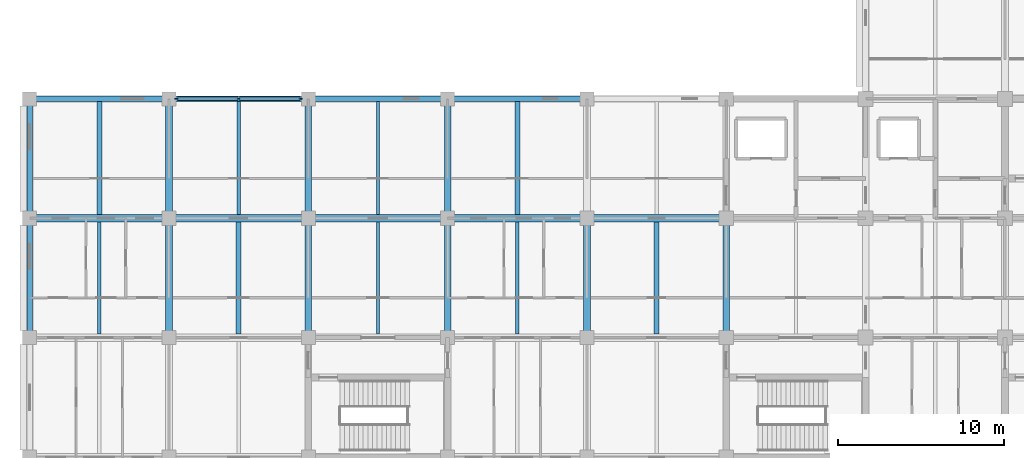
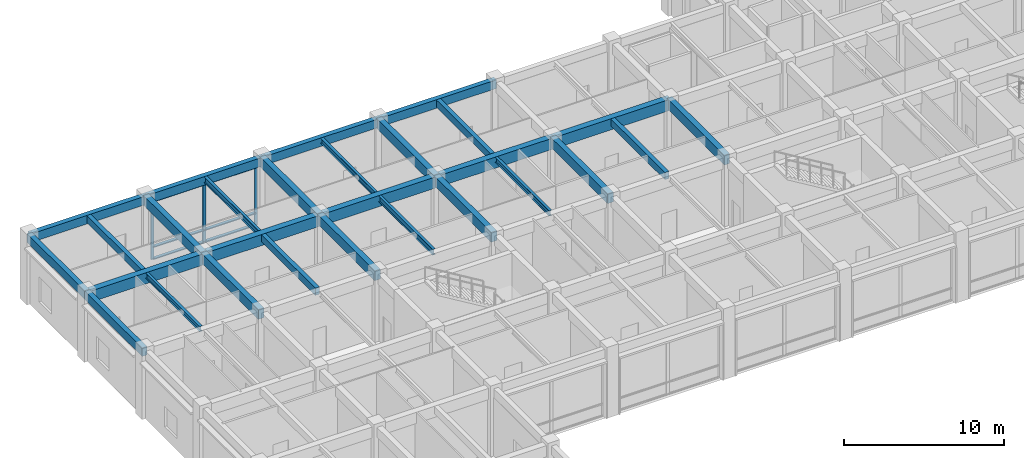
# One storey, part 12 of 68: 28 beams, 9 members, 1 element without a shape of its own.
"""IFC4 building model written with IfcOpenShell, lengths in metres."""

from ifc_helpers import new_model, si_unit, direction, frame, origin, origin_2d, place, context, subcontext, project, spatial, rectangle, i_section, extrude, material, layer, layer_set, material_profile, profile_set, type_object, element, aggregate, save


model = new_model("IFC4")

# Units and contexts
model_context = context("Model", 3, precision=1e-05, world=origin(), true_north=direction((0.0, 1.0)))
body_context = subcontext(model_context, "Body", "Model", "MODEL_VIEW")
ifc_project = project(units=[si_unit("LENGTHUNIT", "METRE"), si_unit("AREAUNIT", "SQUARE_METRE"), si_unit("VOLUMEUNIT", "CUBIC_METRE"), si_unit("PLANEANGLEUNIT", "RADIAN"), si_unit("MASSUNIT", "GRAM", prefix="KILO")], contexts=[model_context])

# Site, building, storey
site_placement = place(None, origin())
site = spatial("IfcSite", under=ifc_project, at=site_placement, CompositionType="ELEMENT")
building_placement = place(site_placement, origin())
building = spatial("IfcBuilding", under=site, at=building_placement, Name="Chengyuan Square Courthouse", CompositionType="ELEMENT")
storey_placement = place(building_placement, frame((0.0, 0.0, 5.39990234375)))
storey = spatial("IfcBuildingStorey", under=building, at=storey_placement, Name="L02", CompositionType="ELEMENT", Elevation=5.39990234375)

# Beams
ifc_material_1 = material(Name="Concrete C40", Category="concrete")
ifc_material_profile_1 = material_profile(ifc_material_1, rectangle(XDim=0.449951171875, YDim=0.85009765625, at=origin_2d()), Name="RC-BM-450x850")
ifc_profile_set_1 = profile_set([ifc_material_profile_1], Name="Concrete C40")
beam_type_1 = type_object("IfcBeamType", Name="BM-01", PredefinedType="USERDEFINED", material=ifc_profile_set_1)
beam_1_placement = place(storey_placement, frame((0.0, 100.800048828125, 4.695068359375), z_axis=(1.0, 0.0, 0.0), x_axis=(0.0, 1.0, 0.0)))
element("IfcBeam", 1, at=beam_1_placement, inside=storey, type_object=beam_type_1, Name="Girder BM-L02-2179", ObjectType="GIRDER", PredefinedType="USERDEFINED", context=body_context, shape_type="SweptSolid", body=[
    extrude(rectangle(XDim=0.449951171875, YDim=0.85009765625, at=origin_2d()), origin(), (0.0, 0.0, 1.0), 8.39990234375),
])
beam_2_placement = place(storey_placement, frame((8.39990234375, 100.800048828125, 4.695068359375), z_axis=(1.0, 0.0, 0.0), x_axis=(0.0, 1.0, 0.0)))
element("IfcBeam", 2, at=beam_2_placement, inside=storey, type_object=beam_type_1, Name="Girder BM-L02-2180", ObjectType="GIRDER", PredefinedType="USERDEFINED", context=body_context, shape_type="SweptSolid", body=[
    extrude(rectangle(XDim=0.449951171875, YDim=0.85009765625, at=origin_2d()), origin(), (0.0, 0.0, 1.0), 8.400146484375),
])
beam_3_placement = place(storey_placement, frame((16.800048828125, 100.800048828125, 4.695068359375), z_axis=(1.0, 0.0, 0.0), x_axis=(0.0, 1.0, 0.0)))
element("IfcBeam", 3, at=beam_3_placement, inside=storey, type_object=beam_type_1, Name="Girder BM-L02-2181", ObjectType="GIRDER", PredefinedType="USERDEFINED", context=body_context, shape_type="SweptSolid", body=[
    extrude(rectangle(XDim=0.449951171875, YDim=0.85009765625, at=origin_2d()), origin(), (0.0, 0.0, 1.0), 8.39990234375),
])
beam_4_placement = place(storey_placement, frame((25.199951171875, 100.800048828125, 4.695068359375), z_axis=(1.0, 0.0, 0.0), x_axis=(0.0, 1.0, 0.0)))
element("IfcBeam", 4, at=beam_4_placement, inside=storey, type_object=beam_type_1, Name="Girder BM-L02-2182", ObjectType="GIRDER", PredefinedType="USERDEFINED", context=body_context, shape_type="SweptSolid", body=[
    extrude(rectangle(XDim=0.449951171875, YDim=0.85009765625, at=origin_2d()), origin(), (0.0, 0.0, 1.0), 8.400146484375),
])
beam_5_placement = place(storey_placement, frame((33.60009765625, 100.800048828125, 4.695068359375), z_axis=(1.0, 0.0, 0.0), x_axis=(0.0, 1.0, 0.0)))
element("IfcBeam", 5, at=beam_5_placement, inside=storey, type_object=beam_type_1, Name="Girder BM-L02-2183", ObjectType="GIRDER", PredefinedType="USERDEFINED", context=body_context, shape_type="SweptSolid", body=[
    extrude(rectangle(XDim=0.449951171875, YDim=0.85009765625, at=origin_2d()), origin(), (0.0, 0.0, 1.0), 8.39990234375),
])
ifc_material_profile_2 = material_profile(ifc_material_1, rectangle(XDim=0.39990234375, YDim=0.75, at=origin_2d()), Name="RC-BM-400x750")
ifc_profile_set_2 = profile_set([ifc_material_profile_2], Name="Concrete C40")
beam_type_2 = type_object("IfcBeamType", Name="BM-02", PredefinedType="USERDEFINED", material=ifc_profile_set_2)
for number, where, z_axis, x_axis, name in (
    (6, (8.39990234375, 93.60009765625, 4.7451171875), (0.0, 1.0, 0.0), (-1.0, 0.0, 0.0), "Girder BM-L02-2255"),
    (7, (8.39990234375, 100.800048828125, 4.7451171875), (0.0, 1.0, 0.0), (-1.0, 0.0, 0.0), "Girder BM-L02-2256"),
    (8, (16.800048828125, 93.60009765625, 4.7451171875), (0.0, 1.0, 0.0), (-1.0, 0.0, 0.0), "Girder BM-L02-2270"),
    (9, (16.800048828125, 100.800048828125, 4.7451171875), (0.0, 1.0, 0.0), (-1.0, 0.0, 0.0), "Girder BM-L02-2271"),
    (10, (25.199951171875, 93.60009765625, 4.7451171875), (0.0, 1.0, 0.0), (-1.0, 0.0, 0.0), "Girder BM-L02-2274"),
    (11, (25.199951171875, 100.800048828125, 4.7451171875), (0.0, 1.0, 0.0), (-1.0, 0.0, 0.0), "Girder BM-L02-2275"),
    (12, (33.60009765625, 93.60009765625, 4.7451171875), (0.0, 1.0, 0.0), (-1.0, 0.0, 0.0), "Girder BM-L02-2278"),
    (13, (42.0, 93.60009765625, 4.7451171875), (0.0, 1.0, 0.0), (-1.0, 0.0, 0.0), "Girder BM-L02-2282"),
):
    element("IfcBeam", number, at=place(storey_placement, frame(where, z_axis=z_axis, x_axis=x_axis)), inside=storey, type_object=beam_type_2, Name=name, ObjectType="GIRDER", PredefinedType="USERDEFINED", context=body_context, shape_type="SweptSolid", body=[
        extrude(rectangle(XDim=0.39990234375, YDim=0.75, at=origin_2d()), origin(), (0.0, 0.0, 1.0), 7.199951171875),
    ])
ifc_material_profile_3 = material_profile(ifc_material_1, rectangle(XDim=0.35009765625, YDim=0.64990234375, at=origin_2d()), Name="RC-BM-350x650")
ifc_profile_set_3 = profile_set([ifc_material_profile_3], Name="Concrete C40")
beam_type_3 = type_object("IfcBeamType", Name="BM-03", PredefinedType="SPANDREL", material=ifc_profile_set_3)
beam_6_placement = place(storey_placement, frame((0.0, 108.0, 4.795166015625), z_axis=(1.0, 0.0, 0.0), x_axis=(0.0, 1.0, 0.0)))
element("IfcBeam", 14, at=beam_6_placement, inside=storey, type_object=beam_type_3, Name="Girder BM-L02-2199", PredefinedType="SPANDREL", context=body_context, shape_type="SweptSolid", body=[
    extrude(rectangle(XDim=0.35009765625, YDim=0.64990234375, at=origin_2d()), origin(), (0.0, 0.0, 1.0), 8.39990234375),
])
beam_7_placement = place(storey_placement, frame((8.39990234375, 108.0, 4.795166015625), z_axis=(1.0, 0.0, 0.0), x_axis=(0.0, 1.0, 0.0)))
element("IfcBeam", 15, at=beam_7_placement, inside=storey, type_object=beam_type_3, Name="Girder BM-L02-2200", PredefinedType="SPANDREL", context=body_context, shape_type="SweptSolid", body=[
    extrude(rectangle(XDim=0.35009765625, YDim=0.64990234375, at=origin_2d()), origin(), (0.0, 0.0, 1.0), 8.400146484375),
])
beam_8_placement = place(storey_placement, frame((16.800048828125, 108.0, 4.795166015625), z_axis=(1.0, 0.0, 0.0), x_axis=(0.0, 1.0, 0.0)))
element("IfcBeam", 16, at=beam_8_placement, inside=storey, type_object=beam_type_3, Name="Girder BM-L02-2201", PredefinedType="SPANDREL", context=body_context, shape_type="SweptSolid", body=[
    extrude(rectangle(XDim=0.35009765625, YDim=0.64990234375, at=origin_2d()), origin(), (0.0, 0.0, 1.0), 8.39990234375),
])
beam_9_placement = place(storey_placement, frame((25.199951171875, 108.0, 4.795166015625), z_axis=(1.0, 0.0, 0.0), x_axis=(0.0, 1.0, 0.0)))
element("IfcBeam", 17, at=beam_9_placement, inside=storey, type_object=beam_type_3, Name="Girder BM-L02-2202", PredefinedType="SPANDREL", context=body_context, shape_type="SweptSolid", body=[
    extrude(rectangle(XDim=0.35009765625, YDim=0.64990234375, at=origin_2d()), origin(), (0.0, 0.0, 1.0), 8.400146484375),
])
for number, where, z_axis, x_axis, name in (
    (18, (0.0, 93.60009765625, 4.795166015625), (0.0, 1.0, 0.0), (-1.0, 0.0, 0.0), "Girder BM-L02-2240"),
    (19, (0.0, 100.800048828125, 4.795166015625), (0.0, 1.0, 0.0), (-1.0, 0.0, 0.0), "Girder BM-L02-2241"),
):
    element("IfcBeam", number, at=place(storey_placement, frame(where, z_axis=z_axis, x_axis=x_axis)), inside=storey, type_object=beam_type_3, Name=name, PredefinedType="SPANDREL", context=body_context, shape_type="SweptSolid", body=[
        extrude(rectangle(XDim=0.35009765625, YDim=0.64990234375, at=origin_2d()), origin(), (0.0, 0.0, 1.0), 7.199951171875),
    ])
ifc_material_profile_4 = material_profile(ifc_material_1, rectangle(XDim=0.300048828125, YDim=0.550048828125, at=origin_2d()), Name="RC-BM-300x550")
ifc_profile_set_4 = profile_set([ifc_material_profile_4], Name="Concrete C40")
beam_type_4 = type_object("IfcBeamType", Name="BM-04", PredefinedType="BEAM", material=ifc_profile_set_4)
beam_10_placement = place(storey_placement, frame((4.199951171875, 101.02490234375, 4.84521484375), z_axis=(0.0, 1.0, 0.0), x_axis=(-1.0, 0.0, 0.0)))
element("IfcBeam", 20, at=beam_10_placement, inside=storey, type_object=beam_type_4, Name="Secondary Floor Beam SBM-L02-2404", PredefinedType="BEAM", context=body_context, shape_type="SweptSolid", body=[
    extrude(rectangle(XDim=0.300048828125, YDim=0.550048828125, at=origin_2d()), origin(), (0.0, 0.0, 1.0), 6.800048828125),
])
beam_11_placement = place(storey_placement, frame((12.60009765625, 93.824951171875, 4.84521484375), z_axis=(0.0, 1.0, 0.0), x_axis=(-1.0, 0.0, 0.0)))
element("IfcBeam", 21, at=beam_11_placement, inside=storey, type_object=beam_type_4, Name="Secondary Floor Beam SBM-L02-2417", PredefinedType="BEAM", context=body_context, shape_type="SweptSolid", body=[
    extrude(rectangle(XDim=0.300048828125, YDim=0.550048828125, at=origin_2d()), origin(), (0.0, 0.0, 1.0), 6.75),
])
beam_12_placement = place(storey_placement, frame((29.39990234375, 101.02490234375, 4.84521484375), z_axis=(0.0, 1.0, 0.0), x_axis=(-1.0, 0.0, 0.0)))
element("IfcBeam", 22, at=beam_12_placement, inside=storey, type_object=beam_type_4, Name="Secondary Floor Beam SBM-L02-2425", PredefinedType="BEAM", context=body_context, shape_type="SweptSolid", body=[
    extrude(rectangle(XDim=0.300048828125, YDim=0.550048828125, at=origin_2d()), origin(), (0.0, 0.0, 1.0), 6.800048828125),
])
beam_13_placement = place(storey_placement, frame((37.800048828125, 93.824951171875, 4.84521484375), z_axis=(0.0, 1.0, 0.0), x_axis=(-1.0, 0.0, 0.0)))
element("IfcBeam", 23, at=beam_13_placement, inside=storey, type_object=beam_type_4, Name="Secondary Floor Beam SBM-L02-2428", PredefinedType="BEAM", context=body_context, shape_type="SweptSolid", body=[
    extrude(rectangle(XDim=0.300048828125, YDim=0.550048828125, at=origin_2d()), origin(), (0.0, 0.0, 1.0), 6.75),
])
ifc_material_2 = material(Name="Steel Q355B", Category="steel")
ifc_material_profile_5 = material_profile(ifc_material_2, i_section(OverallWidth=0.199951171875, OverallDepth=0.449951171875, WebThickness=0.009033203125, FlangeThickness=0.013916015625, at=origin_2d()), Name="HN 450x200x9x14")
ifc_profile_set_5 = profile_set([ifc_material_profile_5], Name="Steel Q355B")
beam_type_5 = type_object("IfcBeamType", Name="BM-06", PredefinedType="BEAM", material=ifc_profile_set_5)
beam_14_placement = place(storey_placement, frame((12.60009765625, 101.02490234375, 4.89501953125), z_axis=(0.0, 1.0, 0.0), x_axis=(-1.0, 0.0, 0.0)))
element("IfcBeam", 24, at=beam_14_placement, inside=storey, type_object=beam_type_5, Name="Secondary Floor Beam SBM-L02-2418", PredefinedType="BEAM", context=body_context, shape_type="SweptSolid", body=[
    extrude(i_section(OverallWidth=0.199951171875, OverallDepth=0.449951171875, WebThickness=0.009033203125, FlangeThickness=0.013916015625, at=origin_2d()), origin(), (0.0, 0.0, 1.0), 6.800048828125),
])
beam_15_placement = place(storey_placement, frame((21.0, 93.824951171875, 4.89501953125), z_axis=(0.0, 1.0, 0.0), x_axis=(-1.0, 0.0, 0.0)))
element("IfcBeam", 25, at=beam_15_placement, inside=storey, type_object=beam_type_5, Name="Secondary Floor Beam SBM-L02-2420", PredefinedType="BEAM", context=body_context, shape_type="SweptSolid", body=[
    extrude(i_section(OverallWidth=0.199951171875, OverallDepth=0.449951171875, WebThickness=0.009033203125, FlangeThickness=0.013916015625, at=origin_2d()), origin(), (0.0, 0.0, 1.0), 6.75),
])
ifc_material_profile_6 = material_profile(ifc_material_2, i_section(OverallWidth=0.199951171875, OverallDepth=0.39990234375, WebThickness=0.008056640625, FlangeThickness=0.012939453125, at=origin_2d()), Name="HN 400x200x8x13")
ifc_profile_set_6 = profile_set([ifc_material_profile_6], Name="Steel Q355B")
beam_type_6 = type_object("IfcBeamType", Name="BM-07", PredefinedType="BEAM", material=ifc_profile_set_6)
beam_16_placement = place(storey_placement, frame((4.199951171875, 93.824951171875, 4.920166015625), z_axis=(0.0, 1.0, 0.0), x_axis=(-1.0, 0.0, 0.0)))
element("IfcBeam", 26, at=beam_16_placement, inside=storey, type_object=beam_type_6, Name="Secondary Floor Beam SBM-L02-2403", PredefinedType="BEAM", context=body_context, shape_type="SweptSolid", body=[
    extrude(i_section(OverallWidth=0.199951171875, OverallDepth=0.39990234375, WebThickness=0.008056640625, FlangeThickness=0.012939453125, at=origin_2d()), origin(), (0.0, 0.0, 1.0), 6.75),
])
beam_17_placement = place(storey_placement, frame((21.0, 101.02490234375, 4.920166015625), z_axis=(0.0, 1.0, 0.0), x_axis=(-1.0, 0.0, 0.0)))
element("IfcBeam", 27, at=beam_17_placement, inside=storey, type_object=beam_type_6, Name="Secondary Floor Beam SBM-L02-2421", PredefinedType="BEAM", context=body_context, shape_type="SweptSolid", body=[
    extrude(i_section(OverallWidth=0.199951171875, OverallDepth=0.39990234375, WebThickness=0.008056640625, FlangeThickness=0.012939453125, at=origin_2d()), origin(), (0.0, 0.0, 1.0), 6.800048828125),
])
beam_18_placement = place(storey_placement, frame((29.39990234375, 93.824951171875, 4.920166015625), z_axis=(0.0, 1.0, 0.0), x_axis=(-1.0, 0.0, 0.0)))
element("IfcBeam", 28, at=beam_18_placement, inside=storey, type_object=beam_type_6, Name="Secondary Floor Beam SBM-L02-2424", PredefinedType="BEAM", context=body_context, shape_type="SweptSolid", body=[
    extrude(i_section(OverallWidth=0.199951171875, OverallDepth=0.39990234375, WebThickness=0.008056640625, FlangeThickness=0.012939453125, at=origin_2d()), origin(), (0.0, 0.0, 1.0), 6.75),
])

# Curtain wall, members
ifc_material_3 = material(Name="Unitised Aluminium and Triple Low-E Glass", Category="aluminium")
ifc_layer = layer(ifc_material_3, 0.219970703125)
ifc_layer_set = layer_set([ifc_layer], Name="Unitised Aluminium and Triple Low-E Glass")
curtain_wall_type = type_object("IfcCurtainWallType", Name="CW-04", PredefinedType="USERDEFINED", material=ifc_layer_set)
curtain_wall_placement = place(storey_placement, origin())
curtain_wall = element("IfcCurtainWall", 29, at=curtain_wall_placement, inside=storey, type_object=curtain_wall_type, Name="Unitised Curtain Wall CW-L02-054", ObjectType="UNITISED CURTAIN WALL", PredefinedType="USERDEFINED")
ifc_material_4 = material(Name="Aluminium 6063-T6 Frame", Category="aluminium")
ifc_material_profile_7 = material_profile(ifc_material_4, rectangle(XDim=0.080078125, YDim=0.219970703125, at=origin_2d()), Name="CW-MUL-80x220")
ifc_profile_set_7 = profile_set([ifc_material_profile_7], Name="Aluminium 6063-T6 Frame")
member_type_1 = type_object("IfcMemberType", Name="CWM-04", PredefinedType="MULLION", material=ifc_profile_set_7)
member_1_placement = place(storey_placement, frame((8.864990234375, 108.0, 0.0), z_axis=(0.0, 0.0, 1.0), x_axis=(0.0, 1.0, 0.0)))
member_1 = element("IfcMember", 30, at=member_1_placement, type_object=member_type_1, Name="CW-04 mullion 1", PredefinedType="MULLION", context=body_context, shape_type="SweptSolid", body=[
    extrude(rectangle(XDim=0.080078125, YDim=0.219970703125, at=origin_2d()), origin(), (0.0, 0.0, 1.0), 4.47021484375),
])
member_2_placement = place(storey_placement, frame((12.60009765625, 108.0, 0.0), z_axis=(0.0, 0.0, 1.0), x_axis=(0.0, 1.0, 0.0)))
member_2 = element("IfcMember", 31, at=member_2_placement, type_object=member_type_1, Name="CW-04 mullion 2", PredefinedType="MULLION", context=body_context, shape_type="SweptSolid", body=[
    extrude(rectangle(XDim=0.080078125, YDim=0.219970703125, at=origin_2d()), origin(), (0.0, 0.0, 1.0), 4.47021484375),
])
member_3_placement = place(storey_placement, frame((16.3349609375, 108.0, 0.0), z_axis=(0.0, 0.0, 1.0), x_axis=(0.0, 1.0, 0.0)))
member_3 = element("IfcMember", 32, at=member_3_placement, type_object=member_type_1, Name="CW-04 mullion 3", PredefinedType="MULLION", context=body_context, shape_type="SweptSolid", body=[
    extrude(rectangle(XDim=0.080078125, YDim=0.219970703125, at=origin_2d()), origin(), (0.0, 0.0, 1.0), 4.47021484375),
])
ifc_material_profile_8 = material_profile(ifc_material_4, rectangle(XDim=0.219970703125, YDim=0.080078125, at=origin_2d()), Name="CW-TRN-80x180")
ifc_profile_set_8 = profile_set([ifc_material_profile_8], Name="Aluminium 6063-T6 Frame")
member_type_2 = type_object("IfcMemberType", Name="CWT-04", PredefinedType="USERDEFINED", material=ifc_profile_set_8)
member_4_placement = place(storey_placement, frame((8.905029296875, 108.0, 0.0400390625), z_axis=(1.0, 0.0, 0.0), x_axis=(0.0, 1.0, 0.0)))
member_4 = element("IfcMember", 33, at=member_4_placement, type_object=member_type_2, Name="CW-04 transom 1.1", ObjectType="TRANSOM", PredefinedType="USERDEFINED", context=body_context, shape_type="SweptSolid", body=[
    extrude(rectangle(XDim=0.219970703125, YDim=0.080078125, at=origin_2d()), origin(), (0.0, 0.0, 1.0), 3.655029296875),
])
member_5_placement = place(storey_placement, frame((8.905029296875, 108.0, 0.9501953125), z_axis=(1.0, 0.0, 0.0), x_axis=(0.0, 1.0, 0.0)))
member_5 = element("IfcMember", 34, at=member_5_placement, type_object=member_type_2, Name="CW-04 transom 1.2", ObjectType="TRANSOM", PredefinedType="USERDEFINED", context=body_context, shape_type="SweptSolid", body=[
    extrude(rectangle(XDim=0.219970703125, YDim=0.080078125, at=origin_2d()), origin(), (0.0, 0.0, 1.0), 3.655029296875),
])
member_6_placement = place(storey_placement, frame((8.905029296875, 108.0, 4.43017578125), z_axis=(1.0, 0.0, 0.0), x_axis=(0.0, 1.0, 0.0)))
member_6 = element("IfcMember", 35, at=member_6_placement, type_object=member_type_2, Name="CW-04 transom 1.3", ObjectType="TRANSOM", PredefinedType="USERDEFINED", context=body_context, shape_type="SweptSolid", body=[
    extrude(rectangle(XDim=0.219970703125, YDim=0.080078125, at=origin_2d()), origin(), (0.0, 0.0, 1.0), 3.655029296875),
])
member_7_placement = place(storey_placement, frame((12.639892578125, 108.0, 0.0400390625), z_axis=(1.0, 0.0, 0.0), x_axis=(0.0, 1.0, 0.0)))
member_7 = element("IfcMember", 36, at=member_7_placement, type_object=member_type_2, Name="CW-04 transom 2.1", ObjectType="TRANSOM", PredefinedType="USERDEFINED", context=body_context, shape_type="SweptSolid", body=[
    extrude(rectangle(XDim=0.219970703125, YDim=0.080078125, at=origin_2d()), origin(), (0.0, 0.0, 1.0), 3.655029296875),
])
member_8_placement = place(storey_placement, frame((12.639892578125, 108.0, 0.9501953125), z_axis=(1.0, 0.0, 0.0), x_axis=(0.0, 1.0, 0.0)))
member_8 = element("IfcMember", 37, at=member_8_placement, type_object=member_type_2, Name="CW-04 transom 2.2", ObjectType="TRANSOM", PredefinedType="USERDEFINED", context=body_context, shape_type="SweptSolid", body=[
    extrude(rectangle(XDim=0.219970703125, YDim=0.080078125, at=origin_2d()), origin(), (0.0, 0.0, 1.0), 3.655029296875),
])
member_9_placement = place(storey_placement, frame((12.639892578125, 108.0, 4.43017578125), z_axis=(1.0, 0.0, 0.0), x_axis=(0.0, 1.0, 0.0)))
member_9 = element("IfcMember", 38, at=member_9_placement, type_object=member_type_2, Name="CW-04 transom 2.3", ObjectType="TRANSOM", PredefinedType="USERDEFINED", context=body_context, shape_type="SweptSolid", body=[
    extrude(rectangle(XDim=0.219970703125, YDim=0.080078125, at=origin_2d()), origin(), (0.0, 0.0, 1.0), 3.655029296875),
])
aggregate(curtain_wall, [member_1, member_2, member_3, member_4, member_5, member_6, member_7, member_8, member_9])

save(model, "model.ifc")
